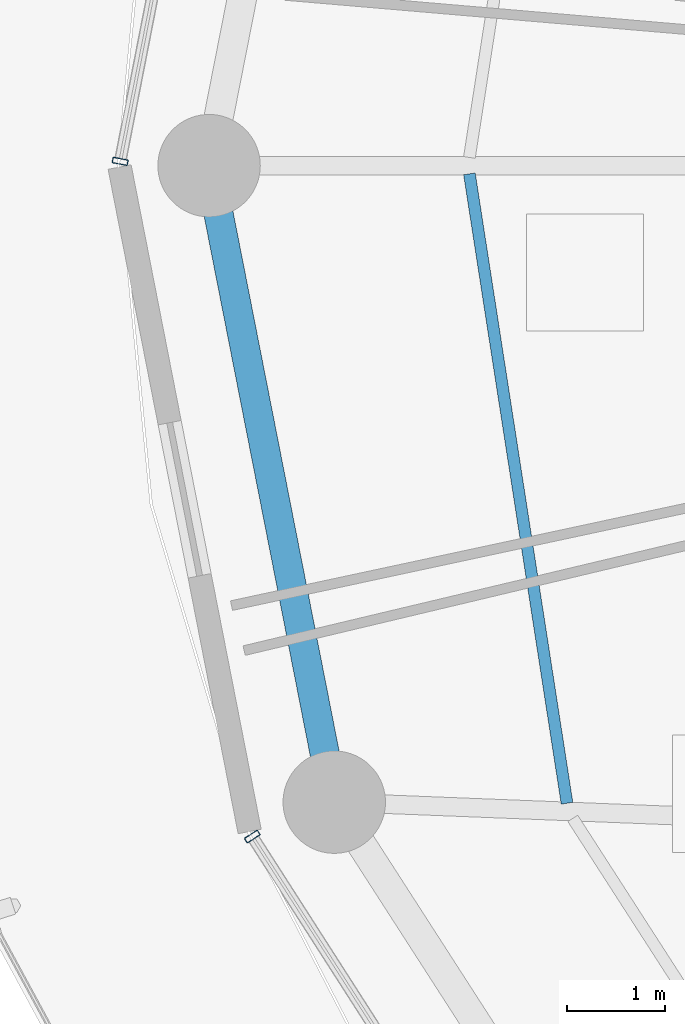
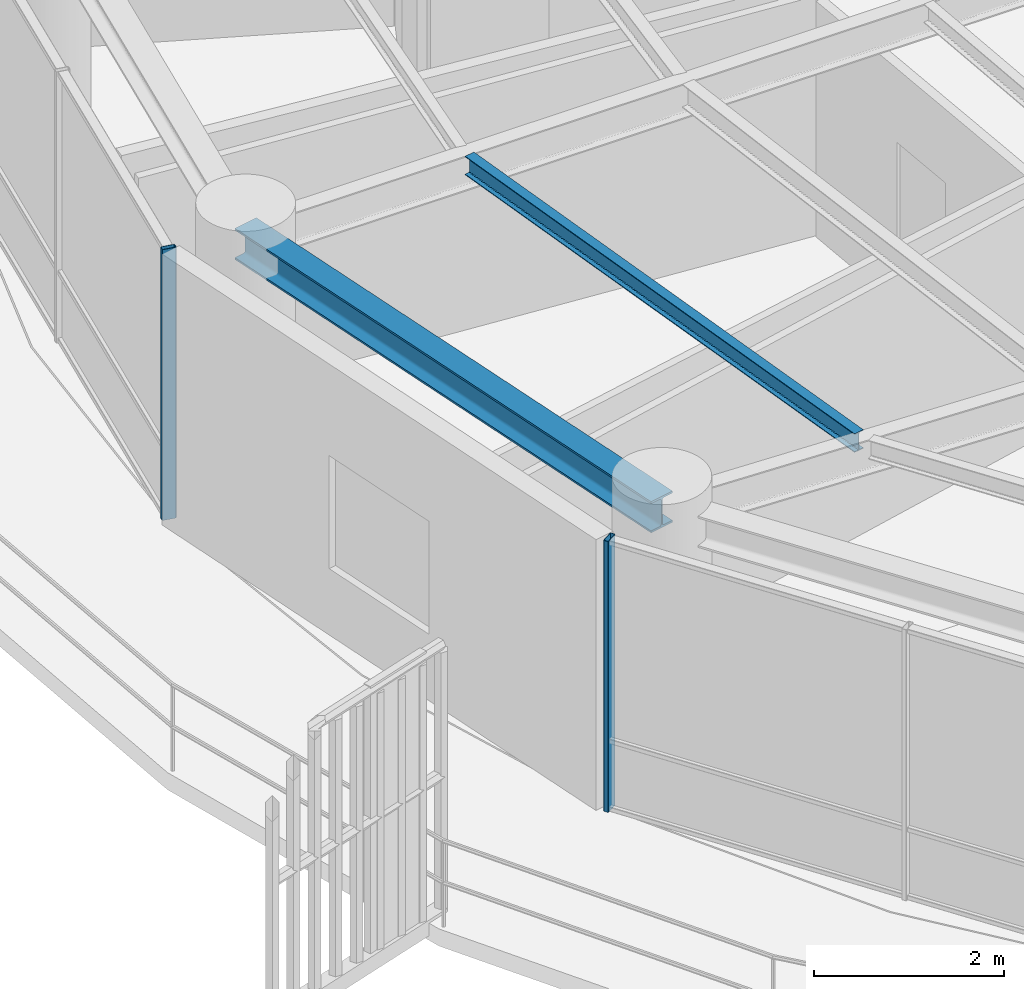
# One storey, part 6 of 31: 2 beams, 2 members, 2 elements without a shape of their own.
"""IFC4 building model written with IfcOpenShell, lengths in metres."""

from ifc_helpers import new_model, si_unit, direction, frame, origin, origin_2d, place, context, subcontext, project, spatial, hollow_rectangle, i_section, extrude, material, layer, layer_set, material_profile, profile_set, type_object, element, aggregate, save


model = new_model("IFC4")

# Units and contexts
model_context = context("Model", 3, precision=1e-05, world=origin(), true_north=direction((0.0, 1.0)))
body_context = subcontext(model_context, "Body", "Model", "MODEL_VIEW")
ifc_project = project(units=[si_unit("LENGTHUNIT", "METRE"), si_unit("AREAUNIT", "SQUARE_METRE"), si_unit("VOLUMEUNIT", "CUBIC_METRE"), si_unit("PLANEANGLEUNIT", "RADIAN"), si_unit("MASSUNIT", "GRAM", prefix="KILO")], contexts=[model_context])

# Site, building, storey
site_placement = place(None, origin())
site = spatial("IfcSite", under=ifc_project, at=site_placement, CompositionType="ELEMENT")
building_placement = place(site_placement, origin())
building = spatial("IfcBuilding", under=site, at=building_placement, Name="Kelanora Arch Commons", CompositionType="ELEMENT")
storey_placement = place(building_placement, frame((0.0, 0.0, 223.199951171875)))
storey = spatial("IfcBuildingStorey", under=building, at=storey_placement, Name="L57", CompositionType="ELEMENT", Elevation=223.199951171875)

# Beams
ifc_material_1 = material(Name="Steel S355", Category="steel")
ifc_material_profile_1 = material_profile(ifc_material_1, i_section(OverallWidth=0.1201171875, OverallDepth=0.239990234375, WebThickness=0.006103515625, FlangeThickness=0.009765625, FilletRadius=0.014892578125, at=origin_2d()), Name="IPE240")
ifc_profile_set_1 = profile_set([ifc_material_profile_1], Name="Steel S355")
beam_type_1 = type_object("IfcBeamType", Name="BM-JST-02", PredefinedType="JOIST", material=ifc_profile_set_1)
beam_1_placement = place(storey_placement, frame((55.388916015625, 57.916015625, 3.3701171875), z_axis=(0.153256756152, -0.988186402808, 0.0), x_axis=(0.988186402808, 0.153256756152, 0.0)))
element("IfcBeam", 1, at=beam_1_placement, inside=storey, type_object=beam_type_1, Name="Secondary Chord Joist BJC-18 L57", PredefinedType="JOIST", context=body_context, shape_type="SweptSolid", body=[
    extrude(i_section(OverallWidth=0.1201171875, OverallDepth=0.239990234375, WebThickness=0.006103515625, FlangeThickness=0.009765625, FilletRadius=0.014892578125, at=origin_2d()), origin(), (0.0, 0.0, 1.0), 6.52978515625),
])
ifc_material_profile_2 = material_profile(ifc_material_1, i_section(OverallWidth=0.300048828125, OverallDepth=0.39990234375, WebThickness=0.013427734375, FlangeThickness=0.02392578125, FilletRadius=0.027099609375, at=origin_2d()), Name="HEB400")
ifc_profile_set_2 = profile_set([ifc_material_profile_2], Name="Steel S355")
beam_type_2 = type_object("IfcBeamType", Name="BM-SPN-Z4", PredefinedType="SPANDREL", material=ifc_profile_set_2)
beam_2_placement = place(storey_placement, frame((52.719970703125, 58.0, 3.2900390625), z_axis=(0.192980724826, -0.981202547819, 0.0), x_axis=(0.981202547819, 0.192980724826, 0.0)))
element("IfcBeam", 2, at=beam_2_placement, inside=storey, type_object=beam_type_2, Name="Perimeter Spandrel Beam BS-18 L57", PredefinedType="SPANDREL", context=body_context, shape_type="SweptSolid", body=[
    extrude(i_section(OverallWidth=0.300048828125, OverallDepth=0.39990234375, WebThickness=0.013427734375, FlangeThickness=0.02392578125, FilletRadius=0.027099609375, at=origin_2d()), origin(), (0.0, 0.0, 1.0), 6.650634765625),
])

# Curtain wall, member
ifc_material_2 = material(Name="Terracotta ceramic-fritted low-E glass and aluminium", Category="masonry")
ifc_layer = layer(ifc_material_2, 0.175048828125)
ifc_layer_set = layer_set([ifc_layer], Name="Terracotta ceramic-fritted low-E glass and aluminium")
curtain_wall_type = type_object("IfcCurtainWallType", Name="CW-SYS-02", PredefinedType="NOTDEFINED", material=ifc_layer_set)
curtain_wall_1_placement = place(storey_placement, origin())
curtain_wall_1 = element("IfcCurtainWall", 3, at=curtain_wall_1_placement, inside=storey, type_object=curtain_wall_type, Name="Unitised Curtain Wall L57-B08", PredefinedType="NOTDEFINED")
ifc_material_3 = material(Name="Powder-coated aluminium terracotta", Category="masonry")
ifc_material_profile_3 = material_profile(ifc_material_3, hollow_rectangle(XDim=0.159912109375, YDim=0.06005859375, WallThickness=0.0048828125, InnerFilletRadius=0.0048828125, OuterFilletRadius=0.010009765625, at=origin_2d()), Name="CWM160x60")
ifc_profile_set_3 = profile_set([ifc_material_profile_3], Name="Powder-coated aluminium terracotta")
member_type = type_object("IfcMemberType", Name="CWM-STD", PredefinedType="MULLION", material=ifc_profile_set_3)
member_1_placement = place(storey_placement, frame((51.80859375, 58.044189453125, 0.0), z_axis=(0.0, 0.0, 1.0), x_axis=(0.981381438349, -0.192068926335, 0.0)))
member_1 = element("IfcMember", 4, at=member_1_placement, type_object=member_type, Name="CW-02 mullion 3", PredefinedType="MULLION", context=body_context, shape_type="SweptSolid", body=[
    extrude(hollow_rectangle(XDim=0.159912109375, YDim=0.06005859375, WallThickness=0.0048828125, InnerFilletRadius=0.0048828125, OuterFilletRadius=0.010009765625, at=origin_2d()), origin(), (0.0, 0.0, 1.0), 3.47509765625),
])
aggregate(curtain_wall_1, [member_1])

curtain_wall_2_placement = place(storey_placement, origin())
curtain_wall_2 = element("IfcCurtainWall", 5, at=curtain_wall_2_placement, inside=storey, type_object=curtain_wall_type, Name="Unitised Curtain Wall L57-B10", PredefinedType="NOTDEFINED")
member_2_placement = place(storey_placement, frame((53.1630859375, 51.121826171875, 0.0), z_axis=(0.0, 0.0, 1.0), x_axis=(0.84194757539, 0.539559338994, 0.0)))
member_2 = element("IfcMember", 6, at=member_2_placement, type_object=member_type, Name="CW-02 mullion 1", PredefinedType="MULLION", context=body_context, shape_type="SweptSolid", body=[
    extrude(hollow_rectangle(XDim=0.159912109375, YDim=0.06005859375, WallThickness=0.0048828125, InnerFilletRadius=0.0048828125, OuterFilletRadius=0.010009765625, at=origin_2d()), origin(), (0.0, 0.0, 1.0), 3.47509765625),
])
aggregate(curtain_wall_2, [member_2])

save(model, "model.ifc")
